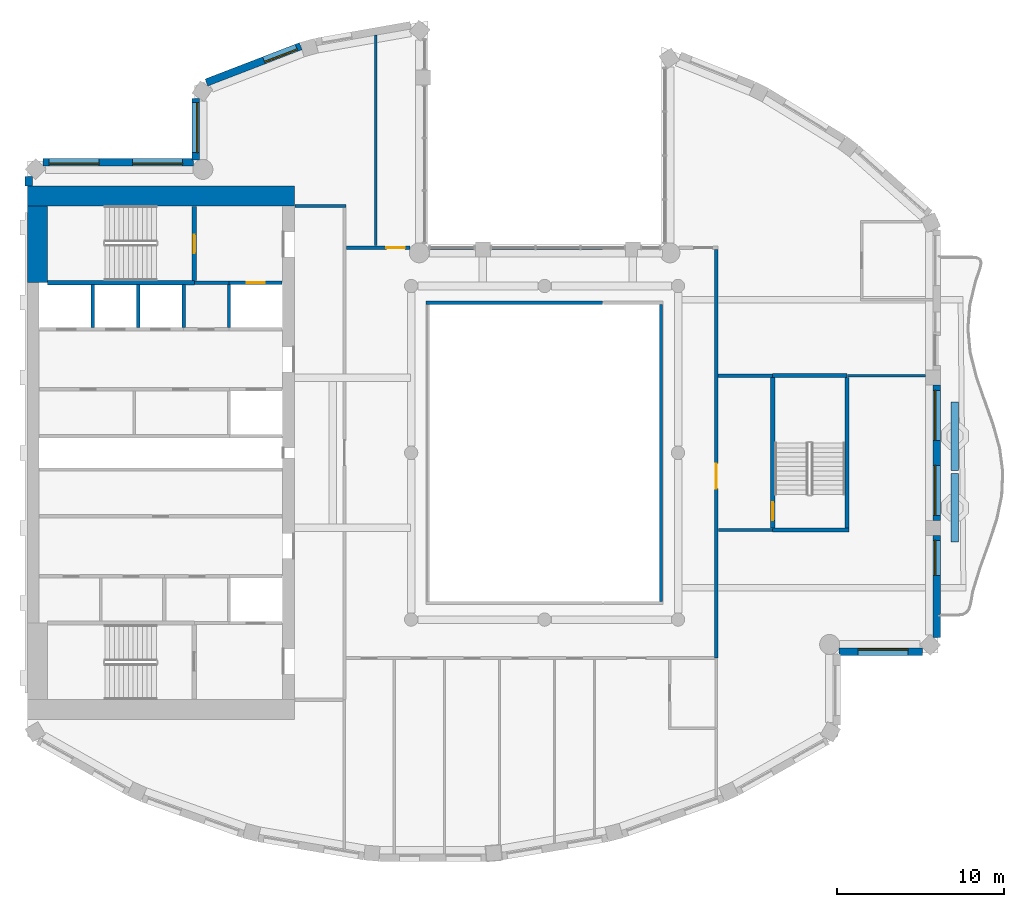
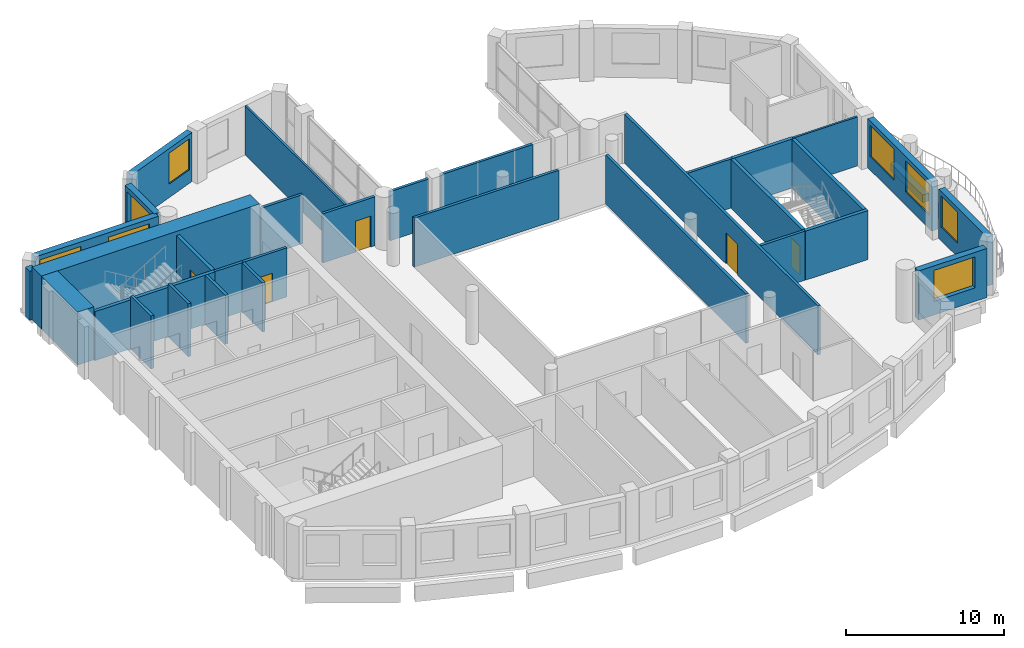
# One storey, part 7 of 15: 34 walls, 8 windows, 5 doors, 13 openings.
"""IFC4 building model written with IfcOpenShell, lengths in metres."""

from ifc_helpers import new_model, si_unit, direction, frame, frame_2d, origin, place, context, subcontext, project, spatial, rectangle, extrude, material, layer, layer_set, type_object, element, fill, save


model = new_model("IFC4")

# Units and contexts
model_context = context("Model", 3, precision=1e-05, world=origin(), true_north=direction((0.0, 1.0)))
body_context = subcontext(model_context, "Body", "Model", "MODEL_VIEW")
ifc_project = project(units=[si_unit("LENGTHUNIT", "METRE"), si_unit("AREAUNIT", "SQUARE_METRE"), si_unit("VOLUMEUNIT", "CUBIC_METRE"), si_unit("PLANEANGLEUNIT", "RADIAN"), si_unit("MASSUNIT", "GRAM", prefix="KILO")], contexts=[model_context])

# Site, building, storey
site_placement = place(None, origin())
site = spatial("IfcSite", under=ifc_project, at=site_placement, CompositionType="ELEMENT")
building_placement = place(site_placement, origin())
building = spatial("IfcBuilding", under=site, at=building_placement, Name="Cypress Arch Tower", CompositionType="ELEMENT")
storey_placement = place(building_placement, frame((0.0, 0.0, 309.0)))
storey = spatial("IfcBuildingStorey", under=building, at=storey_placement, Name="L70", CompositionType="ELEMENT", Elevation=309.0)

# Walls
ifc_material_1 = material(Name="Concrete C40/50, waterproofed", Category="concrete")
ifc_layer_1 = layer(ifc_material_1, 0.449951171875)
ifc_layer_set_1 = layer_set([ifc_layer_1], Name="Balcony planter wall PW450")
wall_type_1 = type_object("IfcWallType", Name="Balcony planter wall PW450", PredefinedType="SOLIDWALL", material=ifc_layer_set_1)
for number, where, z_axis, x_axis, name in (
    (1, (25.60009765625, -5.35009765625, 0.0), (0.0, 0.0, 1.0), (0.0, 1.0, 0.0), "Balcony planter wall L70-C17.1"),
    (2, (25.60009765625, -1.050048828125, 0.0), (0.0, 0.0, 1.0), (0.0, 1.0, 0.0), "Balcony planter wall L70-C17.2"),
):
    element("IfcWall", number, at=place(storey_placement, frame(where, z_axis=z_axis, x_axis=x_axis)), inside=storey, type_object=wall_type_1, Name=name, PredefinedType="SOLIDWALL", context=body_context, shape_type="SweptSolid", body=[
        extrude(rectangle(XDim=4.10009765625, YDim=0.449951171875, at=frame_2d((2.050048828125, 0.0))), origin(), (0.0, 0.0, 1.0), 0.60009765625),
    ])

# Wall, opening, window
ifc_material_2 = material(Name="Brick (red buff blend)", Category="masonry")
ifc_layer_2 = layer(ifc_material_2, 0.449951171875)
ifc_layer_set_2 = layer_set([ifc_layer_2], Name="Brick pier and spandrel wall BW450")
wall_type_2 = type_object("IfcWallType", Name="Brick pier and spandrel wall BW450", PredefinedType="SOLIDWALL", material=ifc_layer_set_2)
wall_1_placement = place(storey_placement, frame((-13.6220703125, 24.376953125, 0.0), z_axis=(0.0, 0.0, 1.0), x_axis=(-0.933129259679, -0.359541075164, 0.0)))
wall_1 = element("IfcWall", 3, at=wall_1_placement, inside=storey, type_object=wall_type_2, Name="Brick wall L70 C04.0", PredefinedType="SOLIDWALL", context=body_context, shape_type="SweptSolid", body=[
    extrude(rectangle(XDim=6.05419921875, YDim=0.449951171875, at=frame_2d((3.027099609375, 0.0))), origin(), (0.0, 0.0, 1.0), 3.800048828125),
])
opening_1_placement = place(wall_1_placement, frame((0.260986328125, 0.0, 1.050048828125)))
opening_1 = element("IfcOpeningElement", 4, at=opening_1_placement, cuts=wall_1, Name="Opening W210O", PredefinedType="OPENING", context=body_context, shape_type="SweptSolid", body=[
    extrude(rectangle(XDim=2.10009765625, YDim=2.39990234375, at=frame_2d((1.050048828125, 1.199951171875))), frame((0.0, 0.23486328125, 0.0), z_axis=(0.0, -1.0, 0.0), x_axis=(1.0, 0.0, 0.0)), (0.0, 0.0, 1.0), 0.469970703125),
])
ifc_material_3 = material(Name="Anodised aluminium, bronze finish, clear low-emissivity double glazing", Category="aluminium")
window_type_1 = type_object("IfcWindowType", Name="Window Office 2100x2400", PartitioningType="SINGLE_PANEL", PredefinedType="WINDOW", material=ifc_material_3)
window_1_placement = place(opening_1_placement, origin())
window_1 = element("IfcWindow", 5, at=window_1_placement, inside=storey, type_object=window_type_1, Name="Window L70 C04.0.1", OverallHeight=2.39990234375, OverallWidth=2.10009765625, PartitioningType="SINGLE_PANEL", PredefinedType="WINDOW", context=body_context, shape_type="SweptSolid", body=[
    extrude(rectangle(XDim=2.10009765625, YDim=2.39990234375, at=frame_2d((1.050048828125, 1.199951171875))), frame((0.0, 0.135009765625, 0.0), z_axis=(0.0, -1.0, 0.0), x_axis=(1.0, 0.0, 0.0)), (0.0, 0.0, 1.0), 0.06005859375),
])
fill(opening_1, window_1)

wall_2_placement = place(storey_placement, frame((-19.925048828125, 21.248291015625, 0.0), z_axis=(0.0, 0.0, 1.0), x_axis=(0.0, -1.0, 0.0)))
wall_2 = element("IfcWall", 6, at=wall_2_placement, inside=storey, type_object=wall_type_2, Name="Brick wall L70 C05.0", PredefinedType="SOLIDWALL", context=body_context, shape_type="SweptSolid", body=[
    extrude(rectangle(XDim=3.699951171875, YDim=0.449951171875, at=frame_2d((1.85009765625, 0.0))), origin(), (0.0, 0.0, 1.0), 3.800048828125),
])
opening_2_placement = place(wall_2_placement, frame((0.251220703125, 0.0, 1.050048828125)))
opening_2 = element("IfcOpeningElement", 7, at=opening_2_placement, cuts=wall_2, Name="Opening W300O", PredefinedType="OPENING", context=body_context, shape_type="SweptSolid", body=[
    extrude(rectangle(XDim=3.0, YDim=2.39990234375, at=frame_2d((1.5, 1.199951171875))), frame((0.0, 0.23486328125, 0.0), z_axis=(0.0, -1.0, 0.0), x_axis=(1.0, 0.0, 0.0)), (0.0, 0.0, 1.0), 0.469970703125),
])
ifc_material_4 = material(Name="Anodised aluminium, bronze finish, clear low-emissivity double glazing", Category="aluminium")
window_type_2 = type_object("IfcWindowType", Name="Window Office 3000x2400", PartitioningType="SINGLE_PANEL", PredefinedType="WINDOW", material=ifc_material_4)
window_2_placement = place(opening_2_placement, origin())
window_2 = element("IfcWindow", 8, at=window_2_placement, inside=storey, type_object=window_type_2, Name="Window L70 C05.0.1", OverallHeight=2.39990234375, OverallWidth=3.0, PartitioningType="SINGLE_PANEL", PredefinedType="WINDOW", context=body_context, shape_type="SweptSolid", body=[
    extrude(rectangle(XDim=3.0, YDim=2.39990234375, at=frame_2d((1.5, 1.199951171875))), frame((0.0, 0.135009765625, 0.0), z_axis=(0.0, -1.0, 0.0), x_axis=(1.0, 0.0, 0.0)), (0.0, 0.0, 1.0), 0.06005859375),
])
fill(opening_2, window_2)

# Wall, openings, windows
wall_3_placement = place(storey_placement, frame((-20.04833984375, 17.425048828125, 0.0), z_axis=(0.0, 0.0, 1.0), x_axis=(-1.0, 0.0, 0.0)))
wall_3 = element("IfcWall", 9, at=wall_3_placement, inside=storey, type_object=wall_type_2, Name="Brick wall L70 C06.0", PredefinedType="SOLIDWALL", context=body_context, shape_type="SweptSolid", body=[
    extrude(rectangle(XDim=9.015380859375, YDim=0.449951171875, at=frame_2d((4.5078125, 0.0))), origin(), (0.0, 0.0, 1.0), 3.800048828125),
])
opening_3_placement = place(wall_3_placement, frame((0.651611328125, 0.0, 1.050048828125)))
opening_3 = element("IfcOpeningElement", 10, at=opening_3_placement, cuts=wall_3, Name="Opening W300O", PredefinedType="OPENING", context=body_context, shape_type="SweptSolid", body=[
    extrude(rectangle(XDim=3.0, YDim=2.39990234375, at=frame_2d((1.5, 1.199951171875))), frame((0.0, 0.23486328125, 0.0), z_axis=(0.0, -1.0, 0.0), x_axis=(1.0, 0.0, 0.0)), (0.0, 0.0, 1.0), 0.469970703125),
])
opening_4_placement = place(wall_3_placement, frame((5.651611328125, 0.0, 1.050048828125)))
opening_4 = element("IfcOpeningElement", 11, at=opening_4_placement, cuts=wall_3, Name="Opening W300O", PredefinedType="OPENING", context=body_context, shape_type="SweptSolid", body=[
    extrude(rectangle(XDim=3.0, YDim=2.39990234375, at=frame_2d((1.5, 1.199951171875))), frame((0.0, 0.23486328125, 0.0), z_axis=(0.0, -1.0, 0.0), x_axis=(1.0, 0.0, 0.0)), (0.0, 0.0, 1.0), 0.469970703125),
])
window_3_placement = place(opening_3_placement, origin())
window_3 = element("IfcWindow", 12, at=window_3_placement, inside=storey, type_object=window_type_2, Name="Window L70 C06.0.1", OverallHeight=2.39990234375, OverallWidth=3.0, PartitioningType="SINGLE_PANEL", PredefinedType="WINDOW", context=body_context, shape_type="SweptSolid", body=[
    extrude(rectangle(XDim=3.0, YDim=2.39990234375, at=frame_2d((1.5, 1.199951171875))), frame((0.0, 0.135009765625, 0.0), z_axis=(0.0, -1.0, 0.0), x_axis=(1.0, 0.0, 0.0)), (0.0, 0.0, 1.0), 0.06005859375),
])
fill(opening_3, window_3)
window_4_placement = place(opening_4_placement, origin())
window_4 = element("IfcWindow", 13, at=window_4_placement, inside=storey, type_object=window_type_2, Name="Window L70 C06.0.2", OverallHeight=2.39990234375, OverallWidth=3.0, PartitioningType="SINGLE_PANEL", PredefinedType="WINDOW", context=body_context, shape_type="SweptSolid", body=[
    extrude(rectangle(XDim=3.0, YDim=2.39990234375, at=frame_2d((1.5, 1.199951171875))), frame((0.0, 0.135009765625, 0.0), z_axis=(0.0, -1.0, 0.0), x_axis=(1.0, 0.0, 0.0)), (0.0, 0.0, 1.0), 0.06005859375),
])
fill(opening_4, window_4)

# Wall
wall_4_placement = place(storey_placement, frame((-29.925048828125, 16.563720703125, 0.0), z_axis=(0.0, 0.0, 1.0), x_axis=(0.0, -1.0, 0.0)))
element("IfcWall", 14, at=wall_4_placement, inside=storey, type_object=wall_type_2, Name="Brick wall L70 C07.0", PredefinedType="SOLIDWALL", context=body_context, shape_type="SweptSolid", body=[
    extrude(rectangle(XDim=0.563720703125, YDim=0.449951171875, at=frame_2d((0.28173828125, 0.0))), origin(), (0.0, 0.0, 1.0), 3.800048828125),
])

# Wall, opening, window
wall_5_placement = place(storey_placement, frame((18.6484375, -11.925048828125, 0.0), z_axis=(0.0, 0.0, 1.0), x_axis=(1.0, 0.0, 0.0)))
wall_5 = element("IfcWall", 15, at=wall_5_placement, inside=storey, type_object=wall_type_2, Name="Brick wall L70 C16.0", PredefinedType="SOLIDWALL", context=body_context, shape_type="SweptSolid", body=[
    extrude(rectangle(XDim=5.01513671875, YDim=0.449951171875, at=frame_2d((2.507568359375, 0.0))), origin(), (0.0, 0.0, 1.0), 3.800048828125),
])
opening_5_placement = place(wall_5_placement, frame((1.151611328125, 0.0, 1.050048828125)))
opening_5 = element("IfcOpeningElement", 16, at=opening_5_placement, cuts=wall_5, Name="Opening W300O", PredefinedType="OPENING", context=body_context, shape_type="SweptSolid", body=[
    extrude(rectangle(XDim=3.0, YDim=2.39990234375, at=frame_2d((1.5, 1.199951171875))), frame((0.0, 0.23486328125, 0.0), z_axis=(0.0, -1.0, 0.0), x_axis=(1.0, 0.0, 0.0)), (0.0, 0.0, 1.0), 0.469970703125),
])
window_5_placement = place(opening_5_placement, origin())
window_5 = element("IfcWindow", 17, at=window_5_placement, inside=storey, type_object=window_type_2, Name="Window L70 C16.0.1", OverallHeight=2.39990234375, OverallWidth=3.0, PartitioningType="SINGLE_PANEL", PredefinedType="WINDOW", context=body_context, shape_type="SweptSolid", body=[
    extrude(rectangle(XDim=3.0, YDim=2.39990234375, at=frame_2d((1.5, 1.199951171875))), frame((0.0, 0.135009765625, 0.0), z_axis=(0.0, -1.0, 0.0), x_axis=(1.0, 0.0, 0.0)), (0.0, 0.0, 1.0), 0.06005859375),
])
fill(opening_5, window_5)

wall_6_placement = place(storey_placement, frame((24.52490234375, -11.063720703125, 0.0), z_axis=(0.0, 0.0, 1.0), x_axis=(0.0, 1.0, 0.0)))
wall_6 = element("IfcWall", 18, at=wall_6_placement, inside=storey, type_object=wall_type_2, Name="Brick wall L70 C17.0", PredefinedType="SOLIDWALL", context=body_context, shape_type="SweptSolid", body=[
    extrude(rectangle(XDim=6.11376953125, YDim=0.449951171875, at=frame_2d((3.056884765625, 0.0))), origin(), (0.0, 0.0, 1.0), 3.800048828125),
])
opening_6_placement = place(wall_6_placement, frame((3.713623046875, 0.0, 1.050048828125)))
opening_6 = element("IfcOpeningElement", 19, at=opening_6_placement, cuts=wall_6, Name="Opening W210OD", PredefinedType="OPENING", context=body_context, shape_type="SweptSolid", body=[
    extrude(rectangle(XDim=2.10009765625, YDim=2.39990234375, at=frame_2d((1.050048828125, 1.199951171875))), frame((0.0, 0.23486328125, 0.0), z_axis=(0.0, -1.0, 0.0), x_axis=(1.0, 0.0, 0.0)), (0.0, 0.0, 1.0), 0.469970703125),
])
ifc_material_5 = material(Name="Anodised aluminium, bronze finish, laminated low-emissivity double glazing, large-missile impact rated", Category="aluminium")
window_type_3 = type_object("IfcWindowType", Name="Window Office 2100x2400 debris-rated", PartitioningType="SINGLE_PANEL", PredefinedType="WINDOW", material=ifc_material_5)
window_6_placement = place(opening_6_placement, origin())
window_6 = element("IfcWindow", 20, at=window_6_placement, inside=storey, type_object=window_type_3, Name="Window L70 C17.0.2", OverallHeight=2.39990234375, OverallWidth=2.10009765625, PartitioningType="SINGLE_PANEL", PredefinedType="WINDOW", context=body_context, shape_type="SweptSolid", body=[
    extrude(rectangle(XDim=2.10009765625, YDim=2.39990234375, at=frame_2d((1.050048828125, 1.199951171875))), frame((0.0, 0.135009765625, 0.0), z_axis=(0.0, -1.0, 0.0), x_axis=(1.0, 0.0, 0.0)), (0.0, 0.0, 1.0), 0.06005859375),
])
fill(opening_6, window_6)

# Wall, openings, windows
wall_7_placement = place(storey_placement, frame((24.52490234375, -4.050048828125, 0.0), z_axis=(0.0, 0.0, 1.0), x_axis=(0.0, 1.0, 0.0)))
wall_7 = element("IfcWall", 21, at=wall_7_placement, inside=storey, type_object=wall_type_2, Name="Brick wall L70 C17.1", PredefinedType="SOLIDWALL", context=body_context, shape_type="SweptSolid", body=[
    extrude(rectangle(XDim=8.10009765625, YDim=0.449951171875, at=frame_2d((4.050048828125, 0.0))), origin(), (0.0, 0.0, 1.0), 3.800048828125),
])
opening_7_placement = place(wall_7_placement, frame((0.300048828125, 0.0, 1.050048828125)))
opening_7 = element("IfcOpeningElement", 22, at=opening_7_placement, cuts=wall_7, Name="Opening W300OD", PredefinedType="OPENING", context=body_context, shape_type="SweptSolid", body=[
    extrude(rectangle(XDim=3.0, YDim=2.39990234375, at=frame_2d((1.5, 1.199951171875))), frame((0.0, 0.23486328125, 0.0), z_axis=(0.0, -1.0, 0.0), x_axis=(1.0, 0.0, 0.0)), (0.0, 0.0, 1.0), 0.469970703125),
])
opening_8_placement = place(wall_7_placement, frame((4.800048828125, 0.0, 1.050048828125)))
opening_8 = element("IfcOpeningElement", 23, at=opening_8_placement, cuts=wall_7, Name="Opening W300OD", PredefinedType="OPENING", context=body_context, shape_type="SweptSolid", body=[
    extrude(rectangle(XDim=3.0, YDim=2.39990234375, at=frame_2d((1.5, 1.199951171875))), frame((0.0, 0.23486328125, 0.0), z_axis=(0.0, -1.0, 0.0), x_axis=(1.0, 0.0, 0.0)), (0.0, 0.0, 1.0), 0.469970703125),
])
ifc_material_6 = material(Name="Anodised aluminium, bronze finish, laminated low-emissivity double glazing, large-missile impact rated", Category="aluminium")
window_type_4 = type_object("IfcWindowType", Name="Window Office 3000x2400 debris-rated", PartitioningType="SINGLE_PANEL", PredefinedType="WINDOW", material=ifc_material_6)
window_7_placement = place(opening_7_placement, origin())
window_7 = element("IfcWindow", 24, at=window_7_placement, inside=storey, type_object=window_type_4, Name="Window L70 C17.1.1", OverallHeight=2.39990234375, OverallWidth=3.0, PartitioningType="SINGLE_PANEL", PredefinedType="WINDOW", context=body_context, shape_type="SweptSolid", body=[
    extrude(rectangle(XDim=3.0, YDim=2.39990234375, at=frame_2d((1.5, 1.199951171875))), frame((0.0, 0.135009765625, 0.0), z_axis=(0.0, -1.0, 0.0), x_axis=(1.0, 0.0, 0.0)), (0.0, 0.0, 1.0), 0.06005859375),
])
fill(opening_7, window_7)
window_8_placement = place(opening_8_placement, origin())
window_8 = element("IfcWindow", 25, at=window_8_placement, inside=storey, type_object=window_type_4, Name="Window L70 C17.1.2", OverallHeight=2.39990234375, OverallWidth=3.0, PartitioningType="SINGLE_PANEL", PredefinedType="WINDOW", context=body_context, shape_type="SweptSolid", body=[
    extrude(rectangle(XDim=3.0, YDim=2.39990234375, at=frame_2d((1.5, 1.199951171875))), frame((0.0, 0.135009765625, 0.0), z_axis=(0.0, -1.0, 0.0), x_axis=(1.0, 0.0, 0.0)), (0.0, 0.0, 1.0), 0.06005859375),
])
fill(opening_8, window_8)

# Walls
ifc_material_7 = material(Name="Concrete C60/75", Category="concrete")
ifc_layer_3 = layer(ifc_material_7, 1.199951171875)
ifc_layer_set_3 = layer_set([ifc_layer_3], Name="Core wall CW1200 C60/75")
wall_type_3 = type_object("IfcWallType", Name="Core wall CW1200 C60/75", PredefinedType="SHEAR", material=ifc_layer_set_3)
wall_8_placement = place(storey_placement, frame((-30.0, 15.39990234375, 0.0), z_axis=(0.0, 0.0, 1.0), x_axis=(1.0, 0.0, 0.0)))
element("IfcWall", 26, at=wall_8_placement, inside=storey, type_object=wall_type_3, Name="Core wall", PredefinedType="SHEAR", context=body_context, shape_type="SweptSolid", body=[
    extrude(rectangle(XDim=16.0, YDim=1.199951171875, at=frame_2d((8.0, 0.0))), origin(), (0.0, 0.0, 1.0), 4.10009765625),
])
wall_9_placement = place(storey_placement, frame((-29.39990234375, 10.199951171875, 0.0), z_axis=(0.0, 0.0, 1.0), x_axis=(0.0, 1.0, 0.0)))
element("IfcWall", 27, at=wall_9_placement, inside=storey, type_object=wall_type_3, Name="Core wall", PredefinedType="SHEAR", context=body_context, shape_type="SweptSolid", body=[
    extrude(rectangle(XDim=4.60009765625, YDim=1.199951171875, at=frame_2d((2.300048828125, 0.0))), origin(), (0.0, 0.0, 1.0), 4.10009765625),
])
ifc_material_8 = material(Name="Concrete blockwork, plastered, rated", Category="masonry")
ifc_layer_4 = layer(ifc_material_8, 0.199951171875)
ifc_layer_set_4 = layer_set([ifc_layer_4], Name="Corridor wall FW200")
wall_type_4 = type_object("IfcWallType", Name="Corridor wall FW200", PredefinedType="PARTITIONING", material=ifc_layer_set_4)
wall_10_placement = place(storey_placement, frame((-20.0, 10.199951171875, 0.0), z_axis=(0.0, 0.0, 1.0), x_axis=(1.0, 0.0, 0.0)))
element("IfcWall", 28, at=wall_10_placement, inside=storey, type_object=wall_type_4, Name="Corridor wall", PredefinedType="PARTITIONING", context=body_context, shape_type="SweptSolid", body=[
    extrude(rectangle(XDim=2.080078125, YDim=0.199951171875, at=frame_2d((1.0400390625, 0.0))), origin(), (0.0, 0.0, 1.0), 3.800048828125),
])
wall_11_placement = place(storey_placement, frame((-13.969970703125, 14.800048828125, 0.0), z_axis=(0.0, 0.0, 1.0), x_axis=(1.0, 0.0, 0.0)))
element("IfcWall", 29, at=wall_11_placement, inside=storey, type_object=wall_type_4, Name="Corridor wall", PredefinedType="PARTITIONING", context=body_context, shape_type="SweptSolid", body=[
    extrude(rectangle(XDim=3.070068359375, YDim=0.199951171875, at=frame_2d((1.53515625, 0.0))), origin(), (0.0, 0.0, 1.0), 3.800048828125),
])

# Wall, opening, door
wall_12_placement = place(storey_placement, frame((-10.8798828125, 12.300048828125, 0.0), z_axis=(0.0, 0.0, 1.0), x_axis=(1.0, 0.0, 0.0)))
wall_12 = element("IfcWall", 30, at=wall_12_placement, inside=storey, type_object=wall_type_4, Name="Corridor wall", PredefinedType="PARTITIONING", context=body_context, shape_type="SweptSolid", body=[
    extrude(rectangle(XDim=3.817626953125, YDim=0.199951171875, at=frame_2d((1.90869140625, 0.0))), origin(), (0.0, 0.0, 1.0), 3.800048828125),
])
opening_9_placement = place(wall_12_placement, frame((2.39990234375, 0.0, 0.0)))
opening_9 = element("IfcOpeningElement", 31, at=opening_9_placement, cuts=wall_12, Name="Opening D01", PredefinedType="OPENING", context=body_context, shape_type="SweptSolid", body=[
    extrude(rectangle(XDim=1.10009765625, YDim=2.39990234375, at=frame_2d((0.550048828125, 1.199951171875))), frame((0.0, 0.10986328125, 0.0), z_axis=(0.0, -1.0, 0.0), x_axis=(1.0, 0.0, 0.0)), (0.0, 0.0, 1.0), 0.219970703125),
])
ifc_material_9 = material(Name="Timber flush door, fire resisting, self-closing", Category="wood")
door_type_1 = type_object("IfcDoorType", Name="Unit entrance door D01 1100x2400", OperationType="SINGLE_SWING_LEFT", PredefinedType="DOOR", material=ifc_material_9)
door_1_placement = place(opening_9_placement, origin())
door_1 = element("IfcDoor", 32, at=door_1_placement, inside=storey, type_object=door_type_1, Name="Unit entrance door", OperationType="SINGLE_SWING_LEFT", OverallHeight=2.39990234375, OverallWidth=1.10009765625, PredefinedType="DOOR", context=body_context, shape_type="SweptSolid", body=[
    extrude(rectangle(XDim=1.10009765625, YDim=2.39990234375, at=frame_2d((0.550048828125, 1.199951171875))), frame((0.0, 0.02490234375, 0.0), z_axis=(0.0, -1.0, 0.0), x_axis=(1.0, 0.0, 0.0)), (0.0, 0.0, 1.0), 0.050048828125),
])
fill(opening_9, door_1)

# Walls
wall_13_placement = place(storey_placement, frame((-5.9619140625, 12.300048828125, 0.0), z_axis=(0.0, 0.0, 1.0), x_axis=(1.0, 0.0, 0.0)))
element("IfcWall", 33, at=wall_13_placement, inside=storey, type_object=wall_type_4, Name="Corridor wall", PredefinedType="PARTITIONING", context=body_context, shape_type="SweptSolid", body=[
    extrude(rectangle(XDim=2.81201171875, YDim=0.199951171875, at=frame_2d((1.406005859375, 0.0))), origin(), (0.0, 0.0, 1.0), 3.800048828125),
])
wall_14_placement = place(storey_placement, frame((-2.25, 12.300048828125, 0.0), z_axis=(0.0, 0.0, 1.0), x_axis=(1.0, 0.0, 0.0)))
element("IfcWall", 34, at=wall_14_placement, inside=storey, type_object=wall_type_4, Name="Corridor wall", PredefinedType="PARTITIONING", context=body_context, shape_type="SweptSolid", body=[
    extrude(rectangle(XDim=6.72998046875, YDim=0.199951171875, at=frame_2d((3.364990234375, 0.0))), origin(), (0.0, 0.0, 1.0), 3.800048828125),
])
wall_15_placement = place(storey_placement, frame((-6.10009765625, 9.0, 0.0), z_axis=(0.0, 0.0, 1.0), x_axis=(1.0, 0.0, 0.0)))
element("IfcWall", 35, at=wall_15_placement, inside=storey, type_object=wall_type_4, Name="Corridor wall", PredefinedType="PARTITIONING", context=body_context, shape_type="SweptSolid", body=[
    extrude(rectangle(XDim=10.580078125, YDim=0.199951171875, at=frame_2d((5.2900390625, 0.0))), origin(), (0.0, 0.0, 1.0), 3.800048828125),
])
wall_16_placement = place(storey_placement, frame((8.0, -8.89990234375, 0.0), z_axis=(0.0, 0.0, 1.0), x_axis=(0.0, 1.0, 0.0)))
element("IfcWall", 36, at=wall_16_placement, inside=storey, type_object=wall_type_4, Name="Corridor wall", PredefinedType="PARTITIONING", context=body_context, shape_type="SweptSolid", body=[
    extrude(rectangle(XDim=17.7998046875, YDim=0.199951171875, at=frame_2d((8.89990234375, 0.0))), origin(), (0.0, 0.0, 1.0), 3.800048828125),
])

# Wall, opening, door
wall_17_placement = place(storey_placement, frame((11.300048828125, -12.300048828125, 0.0), z_axis=(0.0, 0.0, 1.0), x_axis=(0.0, 1.0, 0.0)))
wall_17 = element("IfcWall", 37, at=wall_17_placement, inside=storey, type_object=wall_type_4, Name="Corridor wall", PredefinedType="PARTITIONING", context=body_context, shape_type="SweptSolid", body=[
    extrude(rectangle(XDim=24.5, YDim=0.199951171875, at=frame_2d((12.25, 0.0))), origin(), (0.0, 0.0, 1.0), 3.800048828125),
])
opening_10_placement = place(wall_17_placement, frame((10.14990234375, 0.0, 0.0)))
opening_10 = element("IfcOpeningElement", 38, at=opening_10_placement, cuts=wall_17, Name="Opening D07", PredefinedType="OPENING", context=body_context, shape_type="SweptSolid", body=[
    extrude(rectangle(XDim=1.5, YDim=2.39990234375, at=frame_2d((0.75, 1.199951171875))), frame((0.0, 0.10986328125, 0.0), z_axis=(0.0, -1.0, 0.0), x_axis=(1.0, 0.0, 0.0)), (0.0, 0.0, 1.0), 0.219970703125),
])
ifc_material_10 = material(Name="Steel framed glazed door, fire resisting", Category="steel")
door_type_2 = type_object("IfcDoorType", Name="Lobby door D07 1500x2400", OperationType="DOUBLE_DOOR_SINGLE_SWING", PredefinedType="DOOR", material=ifc_material_10)
door_2_placement = place(opening_10_placement, origin())
door_2 = element("IfcDoor", 39, at=door_2_placement, inside=storey, type_object=door_type_2, Name="Lobby door", OperationType="DOUBLE_DOOR_SINGLE_SWING", OverallHeight=2.39990234375, OverallWidth=1.5, PredefinedType="DOOR", context=body_context, shape_type="SweptSolid", body=[
    extrude(rectangle(XDim=1.5, YDim=2.39990234375, at=frame_2d((0.75, 1.199951171875))), frame((0.0, 0.02490234375, 0.0), z_axis=(0.0, -1.0, 0.0), x_axis=(1.0, 0.0, 0.0)), (0.0, 0.0, 1.0), 0.050048828125),
])
fill(opening_10, door_2)

# Walls
wall_18_placement = place(storey_placement, frame((11.39990234375, 4.625, 0.0), z_axis=(0.0, 0.0, 1.0), x_axis=(1.0, 0.0, 0.0)))
element("IfcWall", 40, at=wall_18_placement, inside=storey, type_object=wall_type_4, Name="Corridor wall", PredefinedType="PARTITIONING", context=body_context, shape_type="SweptSolid", body=[
    extrude(rectangle(XDim=3.275146484375, YDim=0.199951171875, at=frame_2d((1.6376953125, 0.0))), origin(), (0.0, 0.0, 1.0), 3.800048828125),
])
wall_19_placement = place(storey_placement, frame((11.419921875, -4.625, 0.0), z_axis=(0.0, 0.0, 1.0), x_axis=(1.0, 0.0, 0.0)))
element("IfcWall", 41, at=wall_19_placement, inside=storey, type_object=wall_type_4, Name="Corridor wall", PredefinedType="PARTITIONING", context=body_context, shape_type="SweptSolid", body=[
    extrude(rectangle(XDim=3.235107421875, YDim=0.199951171875, at=frame_2d((1.61767578125, 0.0))), origin(), (0.0, 0.0, 1.0), 3.800048828125),
])
ifc_material_11 = material(Name="Blockwork, plastered both sides", Category="masonry")
ifc_layer_5 = layer(ifc_material_11, 0.14990234375)
ifc_layer_set_5 = layer_set([ifc_layer_5], Name="Partition PW150")
wall_type_5 = type_object("IfcWallType", Name="Partition PW150", PredefinedType="PARTITIONING", material=ifc_layer_set_5)
wall_20_placement = place(storey_placement, frame((-9.10791015625, 12.419921875, 0.0), z_axis=(0.0, 0.0, 1.0), x_axis=(0.0, 1.0, 0.0)))
element("IfcWall", 42, at=wall_20_placement, inside=storey, type_object=wall_type_5, Name="Partition", PredefinedType="PARTITIONING", context=body_context, shape_type="SweptSolid", body=[
    extrude(rectangle(XDim=12.6171875, YDim=0.14990234375, at=frame_2d((6.30859375, 0.0))), origin(), (0.0, 0.0, 1.0), 3.800048828125),
])
wall_21_placement = place(storey_placement, frame((19.14501953125, 4.625, 0.0), z_axis=(0.0, 0.0, 1.0), x_axis=(1.0, 0.0, 0.0)))
element("IfcWall", 43, at=wall_21_placement, inside=storey, type_object=wall_type_5, Name="Partition", PredefinedType="PARTITIONING", context=body_context, shape_type="SweptSolid", body=[
    extrude(rectangle(XDim=4.705078125, YDim=0.14990234375, at=frame_2d((2.3525390625, 0.0))), origin(), (0.0, 0.0, 1.0), 3.800048828125),
])
ifc_material_12 = material(Name="Concrete C50/60", Category="concrete")
ifc_layer_6 = layer(ifc_material_12, 0.199951171875)
ifc_layer_set_6 = layer_set([ifc_layer_6], Name="Shaft wall SH200")
wall_type_6 = type_object("IfcWallType", Name="Shaft wall SH200", PredefinedType="SHEAR", material=ifc_layer_set_6)
for number, where, z_axis, x_axis, name in (
    (44, (-26.080078125, 7.5, 0.0), (0.0, 0.0, 1.0), (0.0, 1.0, 0.0), "Shaft wall"),
    (45, (-23.360107421875, 7.5, 0.0), (0.0, 0.0, 1.0), (0.0, 1.0, 0.0), "Shaft wall"),
):
    element("IfcWall", number, at=place(storey_placement, frame(where, z_axis=z_axis, x_axis=x_axis)), inside=storey, type_object=wall_type_6, Name=name, PredefinedType="SHEAR", context=body_context, shape_type="SweptSolid", body=[
        extrude(rectangle(XDim=2.574951171875, YDim=0.199951171875, at=frame_2d((1.28759765625, 0.0))), origin(), (0.0, 0.0, 1.0), 4.10009765625),
    ])
wall_22_placement = place(storey_placement, frame((-20.639892578125, 7.5, 0.0), z_axis=(0.0, 0.0, 1.0), x_axis=(0.0, 1.0, 0.0)))
element("IfcWall", 46, at=wall_22_placement, inside=storey, type_object=wall_type_6, Name="Shaft wall", PredefinedType="SHEAR", context=body_context, shape_type="SweptSolid", body=[
    extrude(rectangle(XDim=2.574951171875, YDim=0.199951171875, at=frame_2d((1.28759765625, 0.0))), origin(), (0.0, 0.0, 1.0), 3.800048828125),
])
wall_23_placement = place(storey_placement, frame((-17.919921875, 7.5, 0.0), z_axis=(0.0, 0.0, 1.0), x_axis=(0.0, 1.0, 0.0)))
element("IfcWall", 47, at=wall_23_placement, inside=storey, type_object=wall_type_6, Name="Shaft wall", PredefinedType="SHEAR", context=body_context, shape_type="SweptSolid", body=[
    extrude(rectangle(XDim=2.60009765625, YDim=0.199951171875, at=frame_2d((1.300048828125, 0.0))), origin(), (0.0, 0.0, 1.0), 3.800048828125),
])

# Wall, opening, door
wall_24_placement = place(storey_placement, frame((-17.919921875, 10.199951171875, 0.0), z_axis=(0.0, 0.0, 1.0), x_axis=(1.0, 0.0, 0.0)))
wall_24 = element("IfcWall", 48, at=wall_24_placement, inside=storey, type_object=wall_type_6, Name="Shaft wall", PredefinedType="SHEAR", context=body_context, shape_type="SweptSolid", body=[
    extrude(rectangle(XDim=3.18994140625, YDim=0.199951171875, at=frame_2d((1.594970703125, 0.0))), origin(), (0.0, 0.0, 1.0), 3.800048828125),
])
opening_11_placement = place(wall_24_placement, frame((1.050048828125, 0.0, 0.0)))
opening_11 = element("IfcOpeningElement", 49, at=opening_11_placement, cuts=wall_24, Name="Opening LD-FL2", PredefinedType="OPENING", context=body_context, shape_type="SweptSolid", body=[
    extrude(rectangle(XDim=1.10009765625, YDim=2.199951171875, at=frame_2d((0.550048828125, 1.10009765625))), frame((0.0, 0.10986328125, 0.0), z_axis=(0.0, -1.0, 0.0), x_axis=(1.0, 0.0, 0.0)), (0.0, 0.0, 1.0), 0.219970703125),
])
ifc_material_13 = material(Name="Stainless steel centre-opening landing door, rated", Category="steel")
door_type_3 = type_object("IfcDoorType", Name="Lift landing door LD 1100x2200", OperationType="DOUBLE_DOOR_SLIDING", PredefinedType="DOOR", material=ifc_material_13)
door_3_placement = place(opening_11_placement, origin())
door_3 = element("IfcDoor", 50, at=door_3_placement, inside=storey, type_object=door_type_3, Name="Lift landing doors FL2", OperationType="DOUBLE_DOOR_SLIDING", OverallHeight=2.199951171875, OverallWidth=1.10009765625, PredefinedType="DOOR", context=body_context, shape_type="SweptSolid", body=[
    extrude(rectangle(XDim=1.10009765625, YDim=2.199951171875, at=frame_2d((0.550048828125, 1.10009765625))), frame((0.0, 0.02490234375, 0.0), z_axis=(0.0, -1.0, 0.0), x_axis=(1.0, 0.0, 0.0)), (0.0, 0.0, 1.0), 0.050048828125),
])
fill(opening_11, door_3)

# Wall
ifc_material_14 = material(Name="Concrete C50/60", Category="concrete")
ifc_layer_7 = layer(ifc_material_14, 0.25)
ifc_layer_set_7 = layer_set([ifc_layer_7], Name="Stair enclosure wall SW250")
wall_type_7 = type_object("IfcWallType", Name="Stair enclosure wall SW250", PredefinedType="SHEAR", material=ifc_layer_set_7)
wall_25_placement = place(storey_placement, frame((-28.81005859375, 10.199951171875, 0.0), z_axis=(0.0, 0.0, 1.0), x_axis=(1.0, 0.0, 0.0)))
element("IfcWall", 51, at=wall_25_placement, inside=storey, type_object=wall_type_7, Name="Stair enclosure wall", PredefinedType="SHEAR", context=body_context, shape_type="SweptSolid", body=[
    extrude(rectangle(XDim=8.81005859375, YDim=0.25, at=frame_2d((4.405029296875, 0.0))), origin(), (0.0, 0.0, 1.0), 3.800048828125),
])

# Wall, opening, door
wall_26_placement = place(storey_placement, frame((-20.0, 10.324951171875, 0.0), z_axis=(0.0, 0.0, 1.0), x_axis=(0.0, 1.0, 0.0)))
wall_26 = element("IfcWall", 52, at=wall_26_placement, inside=storey, type_object=wall_type_7, Name="Stair enclosure wall", PredefinedType="SHEAR", context=body_context, shape_type="SweptSolid", body=[
    extrude(rectangle(XDim=4.445068359375, YDim=0.25, at=frame_2d((2.22265625, 0.0))), origin(), (0.0, 0.0, 1.0), 3.800048828125),
])
opening_12_placement = place(wall_26_placement, frame((1.64990234375, 0.0, 0.0)))
opening_12 = element("IfcOpeningElement", 53, at=opening_12_placement, cuts=wall_26, Name="Opening D06", PredefinedType="OPENING", context=body_context, shape_type="SweptSolid", body=[
    extrude(rectangle(XDim=1.10009765625, YDim=2.199951171875, at=frame_2d((0.550048828125, 1.10009765625))), frame((0.0, 0.135009765625, 0.0), z_axis=(0.0, -1.0, 0.0), x_axis=(1.0, 0.0, 0.0)), (0.0, 0.0, 1.0), 0.27001953125),
])
ifc_material_15 = material(Name="Steel door, fire resisting, panic bar", Category="steel")
door_type_4 = type_object("IfcDoorType", Name="Stair door D06 1100x2200", OperationType="SINGLE_SWING_LEFT", PredefinedType="DOOR", material=ifc_material_15)
door_4_placement = place(opening_12_placement, origin())
door_4 = element("IfcDoor", 54, at=door_4_placement, inside=storey, type_object=door_type_4, Name="Stair door", OperationType="SINGLE_SWING_LEFT", OverallHeight=2.199951171875, OverallWidth=1.10009765625, PredefinedType="DOOR", context=body_context, shape_type="SweptSolid", body=[
    extrude(rectangle(XDim=1.10009765625, YDim=2.199951171875, at=frame_2d((0.550048828125, 1.10009765625))), frame((0.0, 0.02490234375, 0.0), z_axis=(0.0, -1.0, 0.0), x_axis=(1.0, 0.0, 0.0)), (0.0, 0.0, 1.0), 0.050048828125),
])
fill(opening_12, door_4)

wall_27_placement = place(storey_placement, frame((14.675048828125, -4.5, 0.0), z_axis=(0.0, 0.0, 1.0), x_axis=(0.0, 1.0, 0.0)))
wall_27 = element("IfcWall", 55, at=wall_27_placement, inside=storey, type_object=wall_type_7, Name="Stair enclosure wall", PredefinedType="SHEAR", context=body_context, shape_type="SweptSolid", body=[
    extrude(rectangle(XDim=9.0, YDim=0.25, at=frame_2d((4.5, 0.0))), origin(), (0.0, 0.0, 1.0), 3.800048828125),
])
opening_13_placement = place(wall_27_placement, frame((0.449951171875, 0.0, 0.0)))
opening_13 = element("IfcOpeningElement", 56, at=opening_13_placement, cuts=wall_27, Name="Opening D06", PredefinedType="OPENING", context=body_context, shape_type="SweptSolid", body=[
    extrude(rectangle(XDim=1.10009765625, YDim=2.199951171875, at=frame_2d((0.550048828125, 1.10009765625))), frame((0.0, 0.135009765625, 0.0), z_axis=(0.0, -1.0, 0.0), x_axis=(1.0, 0.0, 0.0)), (0.0, 0.0, 1.0), 0.27001953125),
])
door_5_placement = place(opening_13_placement, origin())
door_5 = element("IfcDoor", 57, at=door_5_placement, inside=storey, type_object=door_type_4, Name="Stair door", OperationType="SINGLE_SWING_RIGHT", OverallHeight=2.199951171875, OverallWidth=1.10009765625, PredefinedType="DOOR", context=body_context, shape_type="SweptSolid", body=[
    extrude(rectangle(XDim=1.10009765625, YDim=2.199951171875, at=frame_2d((0.550048828125, 1.10009765625))), frame((0.0, 0.02490234375, 0.0), z_axis=(0.0, -1.0, 0.0), x_axis=(1.0, 0.0, 0.0)), (0.0, 0.0, 1.0), 0.050048828125),
])
fill(opening_13, door_5)

# Walls
wall_28_placement = place(storey_placement, frame((14.675048828125, -4.625, 0.0), z_axis=(0.0, 0.0, 1.0), x_axis=(1.0, 0.0, 0.0)))
element("IfcWall", 58, at=wall_28_placement, inside=storey, type_object=wall_type_7, Name="Stair enclosure wall", PredefinedType="SHEAR", context=body_context, shape_type="SweptSolid", body=[
    extrude(rectangle(XDim=4.574951171875, YDim=0.25, at=frame_2d((2.28759765625, 0.0))), origin(), (0.0, 0.0, 1.0), 3.800048828125),
])
wall_29_placement = place(storey_placement, frame((14.675048828125, 4.625, 0.0), z_axis=(0.0, 0.0, 1.0), x_axis=(1.0, 0.0, 0.0)))
element("IfcWall", 59, at=wall_29_placement, inside=storey, type_object=wall_type_7, Name="Stair enclosure wall", PredefinedType="SHEAR", context=body_context, shape_type="SweptSolid", body=[
    extrude(rectangle(XDim=4.449951171875, YDim=0.25, at=frame_2d((2.22509765625, 0.0))), origin(), (0.0, 0.0, 1.0), 3.800048828125),
])
wall_30_placement = place(storey_placement, frame((19.125, -4.5, 0.0), z_axis=(0.0, 0.0, 1.0), x_axis=(0.0, 1.0, 0.0)))
element("IfcWall", 60, at=wall_30_placement, inside=storey, type_object=wall_type_7, Name="Stair enclosure wall", PredefinedType="SHEAR", context=body_context, shape_type="SweptSolid", body=[
    extrude(rectangle(XDim=9.0, YDim=0.25, at=frame_2d((4.5, 0.0))), origin(), (0.0, 0.0, 1.0), 3.800048828125),
])

save(model, "model.ifc")
